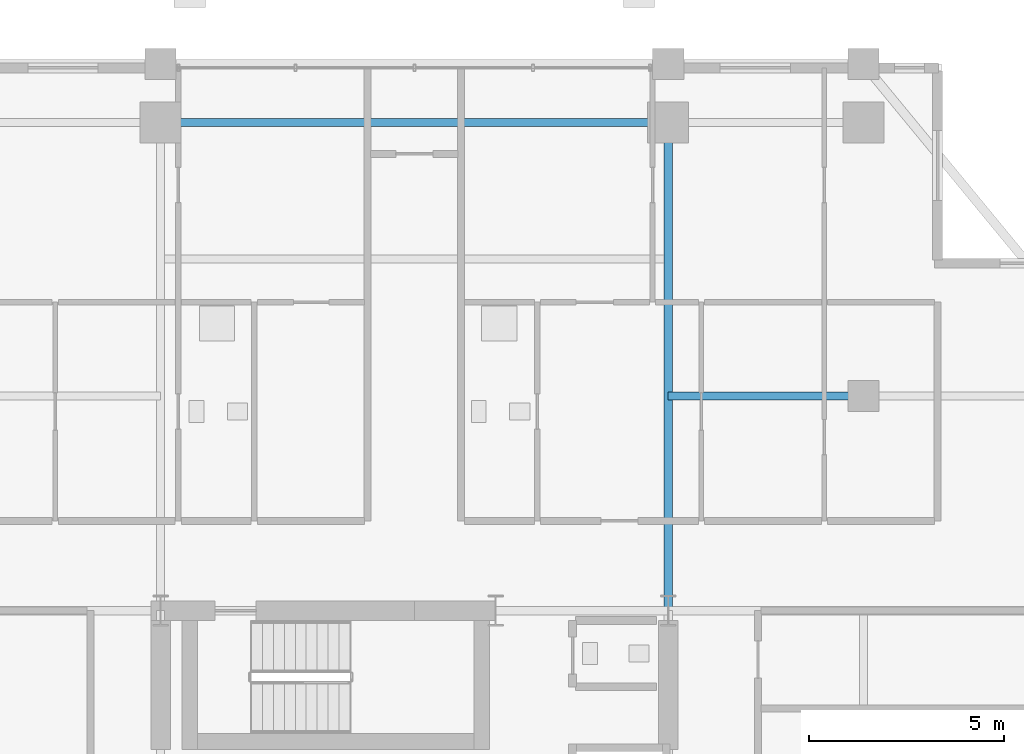
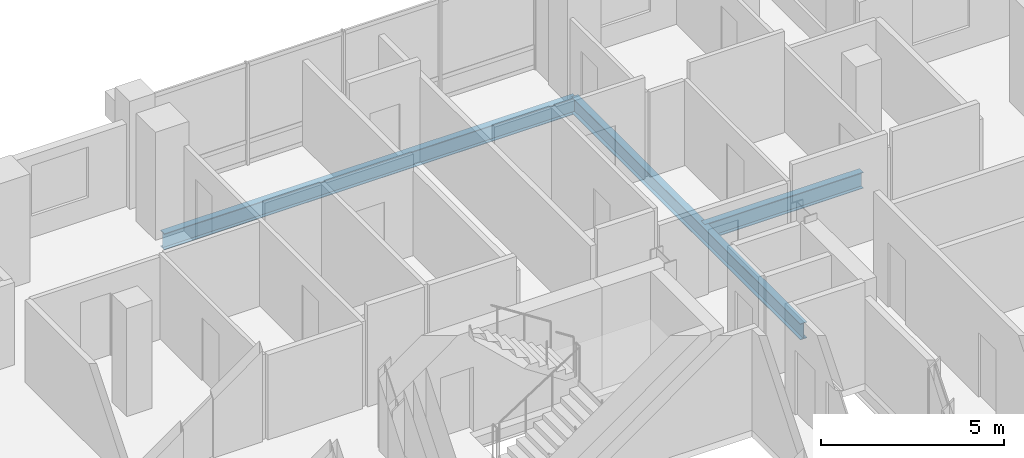
# One storey, part 14 of 24: 3 beams.
"""IFC4 building model written with IfcOpenShell, lengths in metres."""

from ifc_helpers import new_model, si_unit, direction, frame, origin, origin_2d, place, context, subcontext, project, spatial, i_section, extrude, material, material_profile, profile_set, type_object, element, save


model = new_model("IFC4")

# Units and contexts
model_context = context("Model", 3, precision=1e-05, world=origin(), true_north=direction((0.0, 1.0)))
body_context = subcontext(model_context, "Body", "Model", "MODEL_VIEW")
ifc_project = project(units=[si_unit("LENGTHUNIT", "METRE"), si_unit("AREAUNIT", "SQUARE_METRE"), si_unit("VOLUMEUNIT", "CUBIC_METRE"), si_unit("PLANEANGLEUNIT", "RADIAN"), si_unit("MASSUNIT", "GRAM", prefix="KILO")], contexts=[model_context])

# Site, building, storey
site_placement = place(None, origin())
site = spatial("IfcSite", under=ifc_project, at=site_placement, CompositionType="ELEMENT")
building_placement = place(site_placement, origin())
building = spatial("IfcBuilding", under=site, at=building_placement, Name="Barlavira Tower and Art Museum", CompositionType="ELEMENT")
storey_placement = place(building_placement, frame((0.0, 0.0, 190.800048828125)))
storey = spatial("IfcBuildingStorey", under=building, at=storey_placement, Name="L49", CompositionType="ELEMENT", Elevation=190.800048828125)

# Beams
ifc_material = material(Name="Steel S355", Category="steel")
ifc_material_profile = material_profile(ifc_material, i_section(OverallWidth=0.2109375, OverallDepth=0.5390625, WebThickness=0.01171875, FlangeThickness=0.018798828125, at=origin_2d()), Name="W530x109.0")
ifc_profile_set = profile_set([ifc_material_profile], Name="Steel S355")
beam_type = type_object("IfcBeamType", Name="Zone 3-4 Primary Floor Girder W530x109 Steel S355", PredefinedType="BEAM", material=ifc_profile_set)
beam_1_placement = place(storey_placement, frame((-6.5, 20.0, -0.489501953125), z_axis=(1.0, 0.0, 0.0), x_axis=(0.0, 1.0, 0.0)))
element("IfcBeam", 1, at=beam_1_placement, inside=storey, type_object=beam_type, Name="L49 Girder M-N2", PredefinedType="BEAM", context=body_context, shape_type="SweptSolid", body=[
    extrude(i_section(OverallWidth=0.2109375, OverallDepth=0.5390625, WebThickness=0.01171875, FlangeThickness=0.018798828125, at=origin_2d()), origin(), (0.0, 0.0, 1.0), 13.0),
])
beam_2_placement = place(storey_placement, frame((6.5, 7.5, -0.489501953125), z_axis=(0.0, 1.0, 0.0), x_axis=(-1.0, 0.0, 0.0)))
element("IfcBeam", 2, at=beam_2_placement, inside=storey, type_object=beam_type, Name="L49 Girder R-N2", PredefinedType="BEAM", context=body_context, shape_type="SweptSolid", body=[
    extrude(i_section(OverallWidth=0.2109375, OverallDepth=0.5390625, WebThickness=0.01171875, FlangeThickness=0.018798828125, at=origin_2d()), origin(), (0.0, 0.0, 1.0), 12.5),
])
beam_3_placement = place(storey_placement, frame((6.5, 13.0, -0.489501953125), z_axis=(1.0, 0.0, 0.0), x_axis=(0.0, 1.0, 0.0)))
element("IfcBeam", 3, at=beam_3_placement, inside=storey, type_object=beam_type, Name="L49 Girder I-N3", PredefinedType="BEAM", context=body_context, shape_type="SweptSolid", body=[
    extrude(i_section(OverallWidth=0.2109375, OverallDepth=0.5390625, WebThickness=0.01171875, FlangeThickness=0.018798828125, at=origin_2d()), origin(), (0.0, 0.0, 1.0), 5.0),
])

save(model, "model.ifc")
